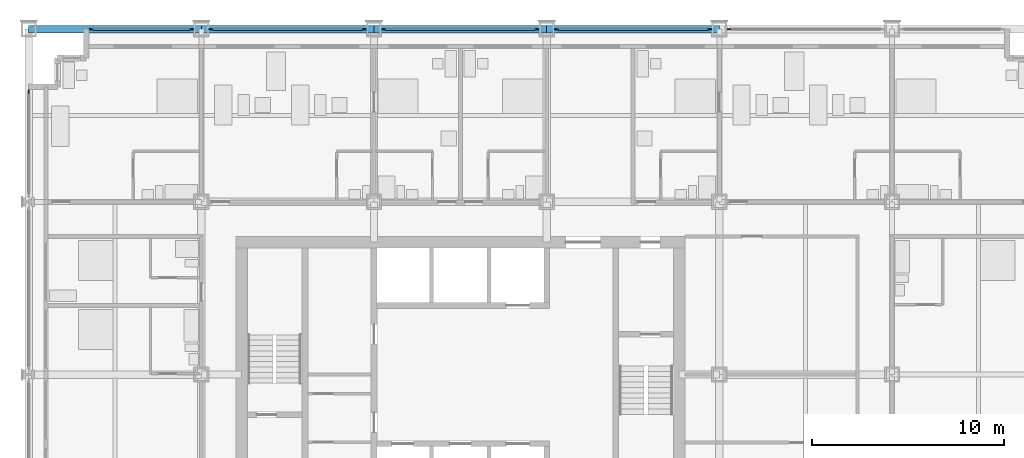
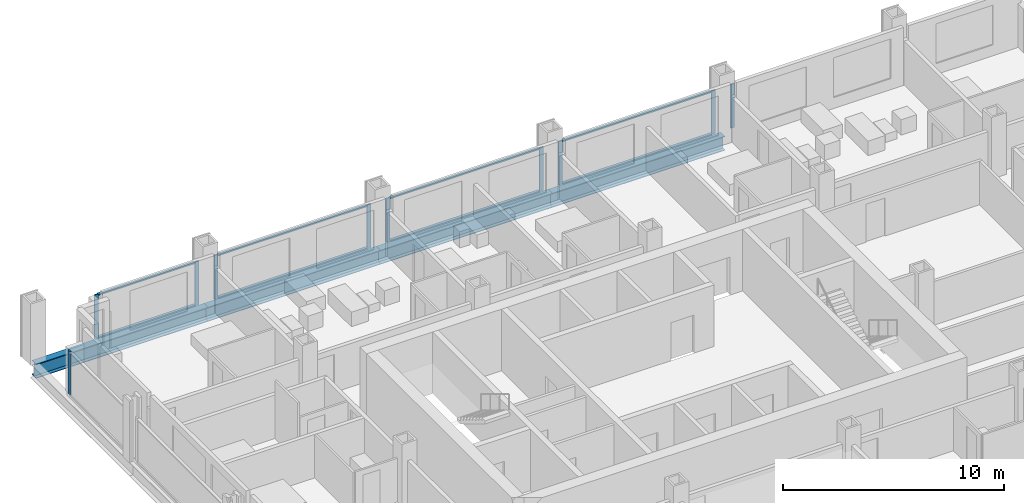
# One storey, part 7 of 18: 18 members, 4 beams, 6 elements without a shape of their own.
"""IFC4 building model written with IfcOpenShell, lengths in metres."""

from ifc_helpers import new_model, si_unit, direction, frame, origin, origin_2d, place, context, subcontext, project, spatial, rectangle, i_section, extrude, material, material_profile, profile_set, type_object, element, aggregate, save


model = new_model("IFC4")

# Units and contexts
model_context = context("Model", 3, precision=1e-05, world=origin(), true_north=direction((0.0, 1.0)))
body_context = subcontext(model_context, "Body", "Model", "MODEL_VIEW")
ifc_project = project(units=[si_unit("LENGTHUNIT", "METRE"), si_unit("AREAUNIT", "SQUARE_METRE"), si_unit("VOLUMEUNIT", "CUBIC_METRE"), si_unit("PLANEANGLEUNIT", "RADIAN"), si_unit("MASSUNIT", "GRAM", prefix="KILO")], contexts=[model_context])

# Site, building, storey
site_placement = place(None, origin())
site = spatial("IfcSite", under=ifc_project, at=site_placement, CompositionType="ELEMENT")
building_placement = place(site_placement, origin())
building = spatial("IfcBuilding", under=site, at=building_placement, Name="Loomwork Tower", CompositionType="ELEMENT")
storey_placement = place(building_placement, frame((0.0, 0.0, 48.39990234375)))
storey = spatial("IfcBuildingStorey", under=building, at=storey_placement, Name="L11", CompositionType="ELEMENT", Elevation=48.39990234375)

# Curtain wall, members
ifc_material_1 = material(Name="Aluminium curtain wall frame", Category="aluminium")
curtain_wall_type = type_object("IfcCurtainWallType", Name="Outer skin glazing hotel", PredefinedType="NOTDEFINED", material=ifc_material_1)
curtain_wall_1_placement = place(storey_placement, origin())
curtain_wall_1 = element("IfcCurtainWall", 1, at=curtain_wall_1_placement, inside=storey, type_object=curtain_wall_type, Name="Outer skin glazing hotel cw/N-0", PredefinedType="NOTDEFINED")
ifc_material_2 = material(Name="Aluminium curtain wall frame", Category="aluminium")
ifc_material_profile_1 = material_profile(ifc_material_2, rectangle(XDim=0.06494140625, YDim=0.199951171875, at=origin_2d()), Name="AL 65x200")
ifc_profile_set_1 = profile_set([ifc_material_profile_1], Name="Aluminium curtain wall frame")
member_type_1 = type_object("IfcMemberType", Name="Outer skin glazing hotel mullion", PredefinedType="MULLION", material=ifc_profile_set_1)
member_1_placement = place(storey_placement, frame((8.5, 36.0, 0.0), z_axis=(0.0, 0.0, 1.0), x_axis=(0.0, -1.0, 0.0)))
member_1 = element("IfcMember", 2, at=member_1_placement, type_object=member_type_1, Name="CW1 mullion 1", PredefinedType="MULLION", context=body_context, shape_type="SweptSolid", body=[
    extrude(rectangle(XDim=0.06494140625, YDim=0.199951171875, at=origin_2d()), origin(), (0.0, 0.0, 1.0), 2.42041015625),
])
member_2_placement = place(storey_placement, frame((3.25, 36.0, 0.0), z_axis=(0.0, 0.0, 1.0), x_axis=(0.0, -1.0, 0.0)))
member_2 = element("IfcMember", 3, at=member_2_placement, type_object=member_type_1, Name="CW1 mullion 2", PredefinedType="MULLION", context=body_context, shape_type="SweptSolid", body=[
    extrude(rectangle(XDim=0.06494140625, YDim=0.199951171875, at=origin_2d()), origin(), (0.0, 0.0, 1.0), 2.42041015625),
])

curtain_wall_2_placement = place(storey_placement, origin())
curtain_wall_2 = element("IfcCurtainWall", 4, at=curtain_wall_2_placement, inside=storey, type_object=curtain_wall_type, Name="Outer skin glazing hotel cw/N-9", PredefinedType="NOTDEFINED")
member_3_placement = place(storey_placement, frame((17.5, 36.0, 0.0), z_axis=(0.0, 0.0, 1.0), x_axis=(0.0, -1.0, 0.0)))
member_3 = element("IfcMember", 5, at=member_3_placement, type_object=member_type_1, Name="CW1 mullion 1", PredefinedType="MULLION", context=body_context, shape_type="SweptSolid", body=[
    extrude(rectangle(XDim=0.06494140625, YDim=0.199951171875, at=origin_2d()), origin(), (0.0, 0.0, 1.0), 2.42041015625),
])
member_4_placement = place(storey_placement, frame((9.5, 36.0, 0.0), z_axis=(0.0, 0.0, 1.0), x_axis=(0.0, -1.0, 0.0)))
member_4 = element("IfcMember", 6, at=member_4_placement, type_object=member_type_1, Name="CW1 mullion 2", PredefinedType="MULLION", context=body_context, shape_type="SweptSolid", body=[
    extrude(rectangle(XDim=0.06494140625, YDim=0.199951171875, at=origin_2d()), origin(), (0.0, 0.0, 1.0), 2.42041015625),
])

curtain_wall_3_placement = place(storey_placement, origin())
curtain_wall_3 = element("IfcCurtainWall", 7, at=curtain_wall_3_placement, inside=storey, type_object=curtain_wall_type, Name="Outer skin glazing hotel cw/N-18", PredefinedType="NOTDEFINED")
member_5_placement = place(storey_placement, frame((26.5, 36.0, 0.0), z_axis=(0.0, 0.0, 1.0), x_axis=(0.0, -1.0, 0.0)))
member_5 = element("IfcMember", 8, at=member_5_placement, type_object=member_type_1, Name="CW1 mullion 1", PredefinedType="MULLION", context=body_context, shape_type="SweptSolid", body=[
    extrude(rectangle(XDim=0.06494140625, YDim=0.199951171875, at=origin_2d()), origin(), (0.0, 0.0, 1.0), 2.42041015625),
])
member_6_placement = place(storey_placement, frame((18.5, 36.0, 0.0), z_axis=(0.0, 0.0, 1.0), x_axis=(0.0, -1.0, 0.0)))
member_6 = element("IfcMember", 9, at=member_6_placement, type_object=member_type_1, Name="CW1 mullion 2", PredefinedType="MULLION", context=body_context, shape_type="SweptSolid", body=[
    extrude(rectangle(XDim=0.06494140625, YDim=0.199951171875, at=origin_2d()), origin(), (0.0, 0.0, 1.0), 2.42041015625),
])

curtain_wall_4_placement = place(storey_placement, origin())
curtain_wall_4 = element("IfcCurtainWall", 10, at=curtain_wall_4_placement, inside=storey, type_object=curtain_wall_type, Name="Outer skin glazing hotel cw/N-27", PredefinedType="NOTDEFINED")
member_7_placement = place(storey_placement, frame((35.5, 36.0, 0.0), z_axis=(0.0, 0.0, 1.0), x_axis=(0.0, -1.0, 0.0)))
member_7 = element("IfcMember", 11, at=member_7_placement, type_object=member_type_1, Name="CW1 mullion 1", PredefinedType="MULLION", context=body_context, shape_type="SweptSolid", body=[
    extrude(rectangle(XDim=0.06494140625, YDim=0.199951171875, at=origin_2d()), origin(), (0.0, 0.0, 1.0), 2.42041015625),
])
member_8_placement = place(storey_placement, frame((27.5, 36.0, 0.0), z_axis=(0.0, 0.0, 1.0), x_axis=(0.0, -1.0, 0.0)))
member_8 = element("IfcMember", 12, at=member_8_placement, type_object=member_type_1, Name="CW1 mullion 2", PredefinedType="MULLION", context=body_context, shape_type="SweptSolid", body=[
    extrude(rectangle(XDim=0.06494140625, YDim=0.199951171875, at=origin_2d()), origin(), (0.0, 0.0, 1.0), 2.42041015625),
])

# Curtain wall, member
curtain_wall_5_placement = place(storey_placement, origin())
curtain_wall_5 = element("IfcCurtainWall", 13, at=curtain_wall_5_placement, inside=storey, type_object=curtain_wall_type, Name="Outer skin glazing hotel cw/N-36", PredefinedType="NOTDEFINED")
member_9_placement = place(storey_placement, frame((36.5, 36.0, 0.0), z_axis=(0.0, 0.0, 1.0), x_axis=(0.0, -1.0, 0.0)))
member_9 = element("IfcMember", 14, at=member_9_placement, type_object=member_type_1, Name="CW1 mullion 2", PredefinedType="MULLION", context=body_context, shape_type="SweptSolid", body=[
    extrude(rectangle(XDim=0.06494140625, YDim=0.199951171875, at=origin_2d()), origin(), (0.0, 0.0, 1.0), 2.42041015625),
])
aggregate(curtain_wall_5, [member_9])

curtain_wall_6_placement = place(storey_placement, origin())
curtain_wall_6 = element("IfcCurtainWall", 15, at=curtain_wall_6_placement, inside=storey, type_object=curtain_wall_type, Name="Outer skin glazing hotel cw/W-27", PredefinedType="NOTDEFINED")
member_10_placement = place(storey_placement, frame((0.0, 32.75, 0.0), z_axis=(0.0, 0.0, 1.0), x_axis=(1.0, 0.0, 0.0)))
member_10 = element("IfcMember", 16, at=member_10_placement, type_object=member_type_1, Name="CW1 mullion 1", PredefinedType="MULLION", context=body_context, shape_type="SweptSolid", body=[
    extrude(rectangle(XDim=0.06494140625, YDim=0.199951171875, at=origin_2d()), origin(), (0.0, 0.0, 1.0), 2.42041015625),
])
aggregate(curtain_wall_6, [member_10])

# Member
ifc_material_3 = material(Name="Aluminium curtain wall frame", Category="aluminium")
ifc_material_profile_2 = material_profile(ifc_material_3, rectangle(XDim=0.14990234375, YDim=0.06494140625, at=origin_2d()), Name="AL 65x150")
ifc_profile_set_2 = profile_set([ifc_material_profile_2], Name="Aluminium curtain wall frame")
member_type_2 = type_object("IfcMemberType", Name="Outer skin glazing hotel transom", PredefinedType="USERDEFINED", material=ifc_profile_set_2)
member_11_placement = place(storey_placement, frame((8.39990234375, 36.0, 0.03271484375), z_axis=(-1.0, 0.0, 0.0), x_axis=(0.0, -1.0, 0.0)))
member_11 = element("IfcMember", 17, at=member_11_placement, type_object=member_type_2, Name="CW1 transom 1.1", ObjectType="TRANSOM", PredefinedType="USERDEFINED", context=body_context, shape_type="SweptSolid", body=[
    extrude(rectangle(XDim=0.14990234375, YDim=0.06494140625, at=origin_2d()), origin(), (0.0, 0.0, 1.0), 5.0498046875),
])

member_12_placement = place(storey_placement, frame((8.39990234375, 36.0, 2.3876953125), z_axis=(-1.0, 0.0, 0.0), x_axis=(0.0, -1.0, 0.0)))
member_12 = element("IfcMember", 18, at=member_12_placement, type_object=member_type_2, Name="CW1 transom 1.2", ObjectType="TRANSOM", PredefinedType="USERDEFINED", context=body_context, shape_type="SweptSolid", body=[
    extrude(rectangle(XDim=0.14990234375, YDim=0.06494140625, at=origin_2d()), origin(), (0.0, 0.0, 1.0), 5.0498046875),
])

aggregate(curtain_wall_1, [member_1, member_2, member_11, member_12])

member_13_placement = place(storey_placement, frame((17.39990234375, 36.0, 0.03271484375), z_axis=(-1.0, 0.0, 0.0), x_axis=(0.0, -1.0, 0.0)))
member_13 = element("IfcMember", 19, at=member_13_placement, type_object=member_type_2, Name="CW1 transom 1.1", ObjectType="TRANSOM", PredefinedType="USERDEFINED", context=body_context, shape_type="SweptSolid", body=[
    extrude(rectangle(XDim=0.14990234375, YDim=0.06494140625, at=origin_2d()), origin(), (0.0, 0.0, 1.0), 7.7998046875),
])

member_14_placement = place(storey_placement, frame((17.39990234375, 36.0, 2.3876953125), z_axis=(-1.0, 0.0, 0.0), x_axis=(0.0, -1.0, 0.0)))
member_14 = element("IfcMember", 20, at=member_14_placement, type_object=member_type_2, Name="CW1 transom 1.2", ObjectType="TRANSOM", PredefinedType="USERDEFINED", context=body_context, shape_type="SweptSolid", body=[
    extrude(rectangle(XDim=0.14990234375, YDim=0.06494140625, at=origin_2d()), origin(), (0.0, 0.0, 1.0), 7.7998046875),
])

aggregate(curtain_wall_2, [member_3, member_4, member_13, member_14])

member_15_placement = place(storey_placement, frame((26.39990234375, 36.0, 0.03271484375), z_axis=(-1.0, 0.0, 0.0), x_axis=(0.0, -1.0, 0.0)))
member_15 = element("IfcMember", 21, at=member_15_placement, type_object=member_type_2, Name="CW1 transom 1.1", ObjectType="TRANSOM", PredefinedType="USERDEFINED", context=body_context, shape_type="SweptSolid", body=[
    extrude(rectangle(XDim=0.14990234375, YDim=0.06494140625, at=origin_2d()), origin(), (0.0, 0.0, 1.0), 7.7998046875),
])

member_16_placement = place(storey_placement, frame((26.39990234375, 36.0, 2.3876953125), z_axis=(-1.0, 0.0, 0.0), x_axis=(0.0, -1.0, 0.0)))
member_16 = element("IfcMember", 22, at=member_16_placement, type_object=member_type_2, Name="CW1 transom 1.2", ObjectType="TRANSOM", PredefinedType="USERDEFINED", context=body_context, shape_type="SweptSolid", body=[
    extrude(rectangle(XDim=0.14990234375, YDim=0.06494140625, at=origin_2d()), origin(), (0.0, 0.0, 1.0), 7.7998046875),
])

aggregate(curtain_wall_3, [member_5, member_6, member_15, member_16])

member_17_placement = place(storey_placement, frame((35.39990234375, 36.0, 0.03271484375), z_axis=(-1.0, 0.0, 0.0), x_axis=(0.0, -1.0, 0.0)))
member_17 = element("IfcMember", 23, at=member_17_placement, type_object=member_type_2, Name="CW1 transom 1.1", ObjectType="TRANSOM", PredefinedType="USERDEFINED", context=body_context, shape_type="SweptSolid", body=[
    extrude(rectangle(XDim=0.14990234375, YDim=0.06494140625, at=origin_2d()), origin(), (0.0, 0.0, 1.0), 7.7998046875),
])

member_18_placement = place(storey_placement, frame((35.39990234375, 36.0, 2.3876953125), z_axis=(-1.0, 0.0, 0.0), x_axis=(0.0, -1.0, 0.0)))
member_18 = element("IfcMember", 24, at=member_18_placement, type_object=member_type_2, Name="CW1 transom 1.2", ObjectType="TRANSOM", PredefinedType="USERDEFINED", context=body_context, shape_type="SweptSolid", body=[
    extrude(rectangle(XDim=0.14990234375, YDim=0.06494140625, at=origin_2d()), origin(), (0.0, 0.0, 1.0), 7.7998046875),
])

aggregate(curtain_wall_4, [member_7, member_8, member_17, member_18])

# Beams
ifc_material_4 = material(Name="Steel ASTM A992", Category="steel")
ifc_material_profile_3 = material_profile(ifc_material_4, i_section(OverallWidth=0.381103515625, OverallDepth=0.77978515625, WebThickness=0.01806640625, FlangeThickness=0.0302734375, at=origin_2d()), Name="W30x191")
ifc_profile_set_3 = profile_set([ifc_material_profile_3], Name="Steel ASTM A992")
beam_type = type_object("IfcBeamType", Name="SPANDREL GIRDER W30x191", PredefinedType="SPANDREL", material=ifc_profile_set_3)
for number, where, z_axis, x_axis, name in (
    (25, (0.0, 36.0, -0.58984375), (1.0, 0.0, 0.0), (0.0, 1.0, 0.0), "Spandrel Girder H/2-H/3 L11"),
    (26, (9.0, 36.0, -0.58984375), (1.0, 0.0, 0.0), (0.0, 1.0, 0.0), "Spandrel Girder H/3-H/4 L11"),
    (27, (18.0, 36.0, -0.58984375), (1.0, 0.0, 0.0), (0.0, 1.0, 0.0), "Spandrel Girder H/4-H/5 L11"),
    (28, (27.0, 36.0, -0.58984375), (1.0, 0.0, 0.0), (0.0, 1.0, 0.0), "Spandrel Girder H/5-H/6 L11"),
):
    element("IfcBeam", number, at=place(storey_placement, frame(where, z_axis=z_axis, x_axis=x_axis)), inside=storey, type_object=beam_type, Name=name, PredefinedType="SPANDREL", context=body_context, shape_type="SweptSolid", body=[
        extrude(i_section(OverallWidth=0.381103515625, OverallDepth=0.77978515625, WebThickness=0.01806640625, FlangeThickness=0.0302734375, at=origin_2d()), origin(), (0.0, 0.0, 1.0), 9.0),
    ])

save(model, "model.ifc")
